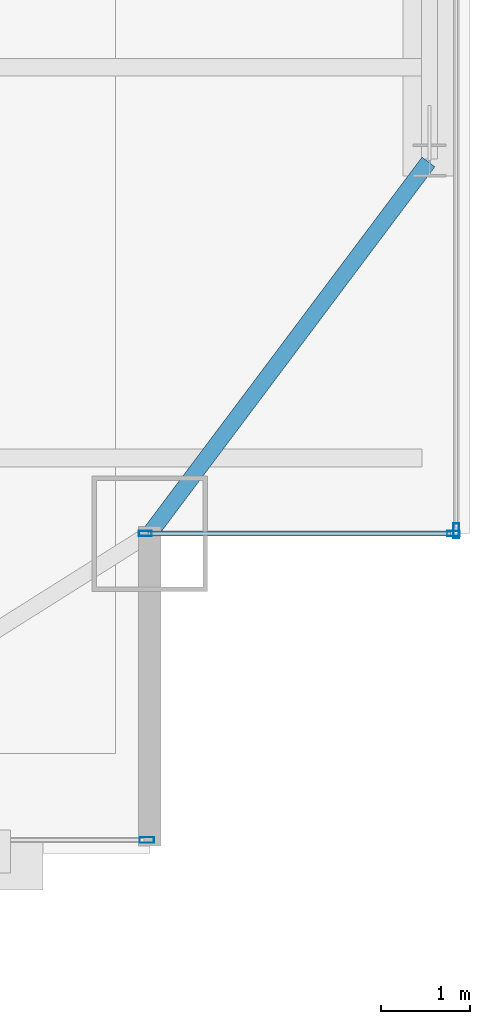
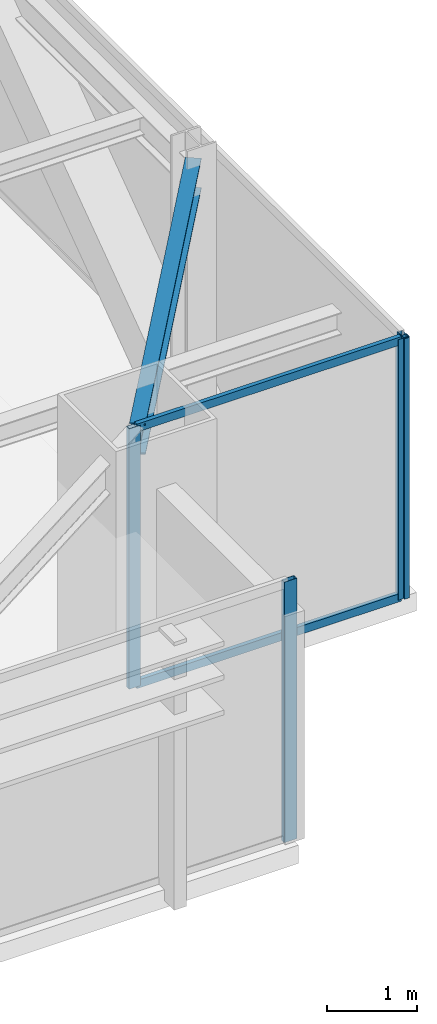
# One storey, part 16 of 34: 6 members, 1 beam, 3 elements without a shape of their own.
"""IFC4 building model written with IfcOpenShell, lengths in metres."""

from ifc_helpers import new_model, si_unit, direction, frame, origin, origin_2d, place, context, subcontext, project, spatial, hollow_rectangle, i_section, extrude, source, transform, mapped, material, layer, layer_set, material_profile, profile_set, type_object, type_shapes, element, aggregate, save


model = new_model("IFC4")

# Units and contexts
model_context = context("Model", 3, precision=1e-05, world=origin(), true_north=direction((0.0, 1.0)))
body_context = subcontext(model_context, "Body", "Model", "MODEL_VIEW")
ifc_project = project(units=[si_unit("LENGTHUNIT", "METRE"), si_unit("AREAUNIT", "SQUARE_METRE"), si_unit("VOLUMEUNIT", "CUBIC_METRE"), si_unit("PLANEANGLEUNIT", "RADIAN"), si_unit("MASSUNIT", "GRAM", prefix="KILO")], contexts=[model_context])

# Site, building, storey
site_placement = place(None, origin())
site = spatial("IfcSite", under=ifc_project, at=site_placement, CompositionType="ELEMENT")
building_placement = place(site_placement, origin())
building = spatial("IfcBuilding", under=site, at=building_placement, Name="Varnel Quay Broadcast Tower", CompositionType="ELEMENT")
storey_placement = place(building_placement, frame((0.0, 0.0, 176.199951171875)))
storey = spatial("IfcBuildingStorey", under=building, at=storey_placement, Name="L43", CompositionType="ELEMENT", Elevation=176.199951171875)

# Beam
ifc_material_1 = material(Name="Structural Steel CSA G40.21 350W", Category="steel")
ifc_material_profile_1 = material_profile(ifc_material_1, i_section(OverallWidth=0.180908203125, OverallDepth=0.4169921875, WebThickness=0.010986328125, FlangeThickness=0.018310546875, FilletRadius=0.011962890625, at=origin_2d()), Name="W410X85")
ifc_profile_set_1 = profile_set([ifc_material_profile_1], Name="Structural Steel CSA G40.21 350W")
beam_type = type_object("IfcBeamType", Name="Beam_W410X85", PredefinedType="SPANDREL", material=ifc_profile_set_1)
shared_shape_1 = source(origin(), body_context, "Body", "SweptSolid", [
    extrude(i_section(OverallWidth=0.180908203125, OverallDepth=0.4169921875, WebThickness=0.010986328125, FlangeThickness=0.018310546875, FilletRadius=0.011962890625, at=origin_2d()), origin(), (0.0, 0.0, 1.0), 5.2099609375),
])
type_shapes(beam_type, [shared_shape_1])
beam_placement = place(storey_placement, frame((57.412109375, 10.81591796875, 3.341552734375), z_axis=(0.6, 0.8, 0.0), x_axis=(-0.8, 0.6, 0.0)))
element("IfcBeam", 1, at=beam_placement, inside=storey, type_object=beam_type, Name="L43 East Spandrel MC-SE-TC-E1", PredefinedType="SPANDREL", context=body_context, shape_type="MappedRepresentation", body=[
    mapped(shared_shape_1, transform((0.0, 0.0, 0.0), x_axis=(1.0, 0.0, 0.0), y_axis=(0.0, 1.0, 0.0), z_axis=(0.0, 0.0, 1.0), scale=1.0)),
])

# Curtain wall, members
ifc_material_2 = material(Name="Anodised Bronze Aluminium 6063-T6", Category="aluminium")
ifc_layer_1 = layer(ifc_material_2, 0.18994140625, Name="Anodised Bronze Aluminium 6063-T6")
ifc_layer_set_1 = layer_set([ifc_layer_1], Name="Anodised Bronze Aluminium 6063-T6")
curtain_wall_type_1 = type_object("IfcCurtainWallType", Name="CW_NotchCorner", PredefinedType="NOTDEFINED", material=ifc_layer_set_1)
curtain_wall_1_placement = place(storey_placement, origin())
curtain_wall_1 = element("IfcCurtainWall", 2, at=curtain_wall_1_placement, inside=storey, type_object=curtain_wall_type_1, Name="L43 SE Notch Curtain Wall", PredefinedType="NOTDEFINED")
ifc_material_profile_2 = material_profile(ifc_material_2, hollow_rectangle(XDim=0.054931640625, YDim=0.110107421875, WallThickness=0.0029296875, at=origin_2d()), Name="ALU55X110X3")
ifc_profile_set_2 = profile_set([ifc_material_profile_2], Name="Anodised Bronze Aluminium 6063-T6")
member_type_1 = type_object("IfcMemberType", Name="Tran_CWS-04", PredefinedType="USERDEFINED", material=ifc_profile_set_2)
shared_shape_2 = source(origin(), body_context, "Body", "SweptSolid", [
    extrude(hollow_rectangle(XDim=0.054931640625, YDim=0.110107421875, WallThickness=0.0029296875, at=origin_2d()), origin(), (0.0, 0.0, 1.0), 3.41015625),
])
type_shapes(member_type_1, [shared_shape_2])
member_1_placement = place(storey_placement, frame((57.3798828125, 10.800048828125, 0.027587890625), z_axis=(1.0, 0.0, 0.0), x_axis=(0.0, 1.0, 0.0)))
member_1 = element("IfcMember", 3, at=member_1_placement, type_object=member_type_1, Name="CWS-04 transom 1.1", ObjectType="TRANSOM", PredefinedType="USERDEFINED", context=body_context, shape_type="MappedRepresentation", body=[
    mapped(shared_shape_2, transform((0.0, 0.0, 0.0), x_axis=(1.0, 0.0, 0.0), y_axis=(0.0, 1.0, 0.0), z_axis=(0.0, 0.0, 1.0), scale=1.0)),
])
member_2_placement = place(storey_placement, frame((57.3798828125, 10.800048828125, 3.5224609375), z_axis=(1.0, 0.0, 0.0), x_axis=(0.0, 1.0, 0.0)))
member_2 = element("IfcMember", 4, at=member_2_placement, type_object=member_type_1, Name="CWS-04 transom 1.2", ObjectType="TRANSOM", PredefinedType="USERDEFINED", context=body_context, shape_type="MappedRepresentation", body=[
    mapped(shared_shape_2, transform((0.0, 0.0, 0.0), x_axis=(1.0, 0.0, 0.0), y_axis=(0.0, 1.0, 0.0), z_axis=(0.0, 0.0, 1.0), scale=1.0)),
])
ifc_material_profile_3 = material_profile(ifc_material_2, hollow_rectangle(XDim=0.06005859375, YDim=0.14501953125, WallThickness=0.00341796875, at=origin_2d()), Name="ALU60X145X3.5")
ifc_profile_set_3 = profile_set([ifc_material_profile_3], Name="Anodised Bronze Aluminium 6063-T6")
member_type_2 = type_object("IfcMemberType", Name="Mull_CWS-04", PredefinedType="MULLION", material=ifc_profile_set_3)
shared_shape_3 = source(origin(), body_context, "Body", "SweptSolid", [
    extrude(hollow_rectangle(XDim=0.06005859375, YDim=0.14501953125, WallThickness=0.00341796875, at=origin_2d()), origin(), (0.0, 0.0, 1.0), 3.550048828125),
])
type_shapes(member_type_2, [shared_shape_3])
member_3_placement = place(storey_placement, frame((57.35009765625, 10.800048828125, 0.0), z_axis=(0.0, 0.0, 1.0), x_axis=(0.0, 1.0, 0.0)))
member_3 = element("IfcMember", 5, at=member_3_placement, type_object=member_type_2, Name="CWS-04 mullion 1", PredefinedType="MULLION", context=body_context, shape_type="MappedRepresentation", body=[
    mapped(shared_shape_3, transform((0.0, 0.0, 0.0), x_axis=(1.0, 0.0, 0.0), y_axis=(0.0, 1.0, 0.0), z_axis=(0.0, 0.0, 1.0), scale=1.0)),
])
member_4_placement = place(storey_placement, frame((60.820068359375, 10.800048828125, 0.0), z_axis=(0.0, 0.0, 1.0), x_axis=(0.0, 1.0, 0.0)))
member_4 = element("IfcMember", 6, at=member_4_placement, type_object=member_type_2, Name="CWS-04 mullion 2", PredefinedType="MULLION", context=body_context, shape_type="MappedRepresentation", body=[
    mapped(shared_shape_3, transform((0.0, 0.0, 0.0), x_axis=(1.0, 0.0, 0.0), y_axis=(0.0, 1.0, 0.0), z_axis=(0.0, 0.0, 1.0), scale=1.0)),
])
aggregate(curtain_wall_1, [member_3, member_4, member_1, member_2])

# Curtain wall, member
ifc_layer_2 = layer(ifc_material_2, 0.18994140625, Name="Anodised Bronze Aluminium 6063-T6")
ifc_layer_set_2 = layer_set([ifc_layer_2], Name="Anodised Bronze Aluminium 6063-T6")
curtain_wall_type_2 = type_object("IfcCurtainWallType", Name="CW_UpperTower", PredefinedType="NOTDEFINED", material=ifc_layer_set_2)
curtain_wall_2_placement = place(storey_placement, origin())
curtain_wall_2 = element("IfcCurtainWall", 7, at=curtain_wall_2_placement, inside=storey, type_object=curtain_wall_type_2, Name="L43 South Unitised Curtain Wall 3", PredefinedType="NOTDEFINED")
ifc_material_profile_4 = material_profile(ifc_material_2, hollow_rectangle(XDim=0.06494140625, YDim=0.1650390625, WallThickness=0.00341796875, at=origin_2d()), Name="ALU65X165X3.5")
ifc_profile_set_4 = profile_set([ifc_material_profile_4], Name="Anodised Bronze Aluminium 6063-T6")
member_type_3 = type_object("IfcMemberType", Name="Mull_CWS-03", PredefinedType="MULLION", material=ifc_profile_set_4)
shared_shape_4 = source(origin(), body_context, "Body", "SweptSolid", [
    extrude(hollow_rectangle(XDim=0.06494140625, YDim=0.1650390625, WallThickness=0.00341796875, at=origin_2d()), origin(), (0.0, 0.0, 1.0), 3.550048828125),
])
type_shapes(member_type_3, [shared_shape_4])
member_5_placement = place(storey_placement, frame((57.367431640625, 7.35009765625, 0.0), z_axis=(0.0, 0.0, 1.0), x_axis=(0.0, 1.0, 0.0)))
member_5 = element("IfcMember", 8, at=member_5_placement, type_object=member_type_3, Name="CWS-03 mullion 2", PredefinedType="MULLION", context=body_context, shape_type="MappedRepresentation", body=[
    mapped(shared_shape_4, transform((0.0, 0.0, 0.0), x_axis=(1.0, 0.0, 0.0), y_axis=(0.0, 1.0, 0.0), z_axis=(0.0, 0.0, 1.0), scale=1.0)),
])
aggregate(curtain_wall_2, [member_5])

curtain_wall_3_placement = place(storey_placement, origin())
curtain_wall_3 = element("IfcCurtainWall", 9, at=curtain_wall_3_placement, inside=storey, type_object=curtain_wall_type_2, Name="L43 East Unitised Curtain Wall", PredefinedType="NOTDEFINED")
member_6_placement = place(storey_placement, frame((60.85009765625, 10.83251953125, 0.0), z_axis=(0.0, 0.0, 1.0), x_axis=(-1.0, 0.0, 0.0)))
member_6 = element("IfcMember", 10, at=member_6_placement, type_object=member_type_3, Name="CWS-03 mullion 1", PredefinedType="MULLION", context=body_context, shape_type="MappedRepresentation", body=[
    mapped(shared_shape_4, transform((0.0, 0.0, 0.0), x_axis=(1.0, 0.0, 0.0), y_axis=(0.0, 1.0, 0.0), z_axis=(0.0, 0.0, 1.0), scale=1.0)),
])
aggregate(curtain_wall_3, [member_6])

save(model, "model.ifc")
